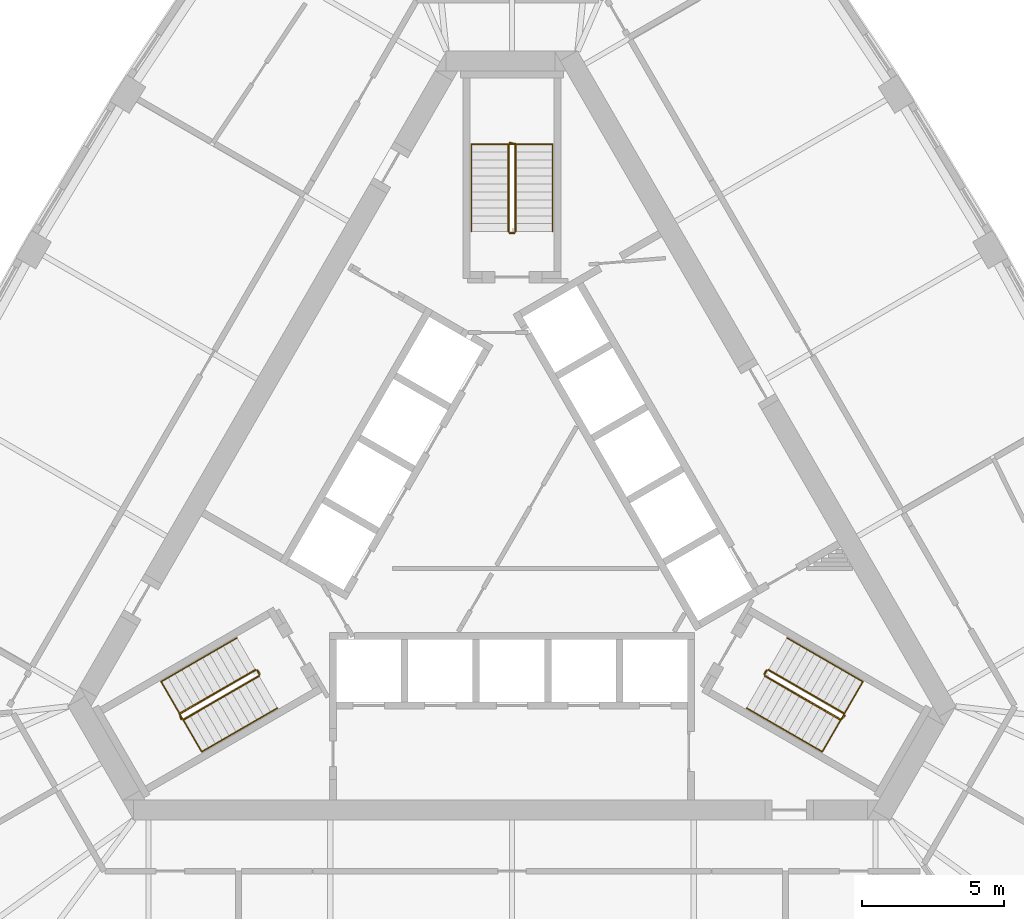
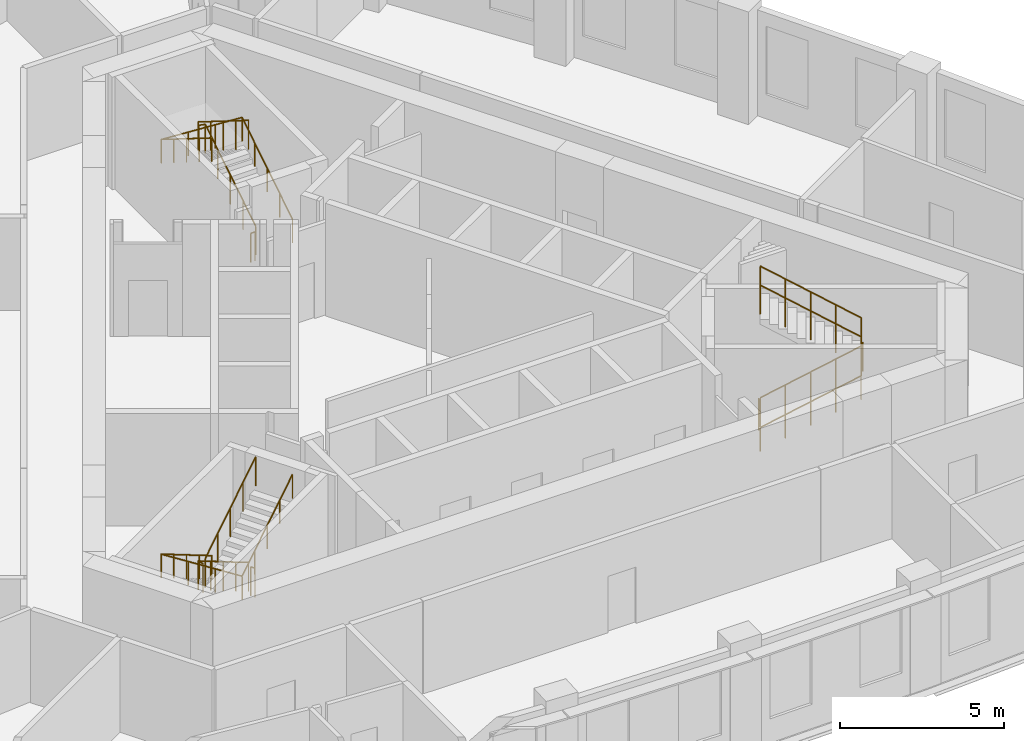
# One storey, part 10 of 10: 12 railings.
"""IFC4 building model written with IfcOpenShell, lengths in metres."""

from ifc_helpers import new_model, si_unit, direction, frame, origin, origin_2d, place, context, subcontext, project, spatial, circle, extrude, material, type_object, element, save


model = new_model("IFC4")

# Units and contexts
model_context = context("Model", 3, precision=1e-05, world=origin(), true_north=direction((0.0, 1.0)))
body_context = subcontext(model_context, "Body", "Model", "MODEL_VIEW")
ifc_project = project(units=[si_unit("LENGTHUNIT", "METRE"), si_unit("AREAUNIT", "SQUARE_METRE"), si_unit("VOLUMEUNIT", "CUBIC_METRE"), si_unit("PLANEANGLEUNIT", "RADIAN"), si_unit("MASSUNIT", "GRAM", prefix="KILO")], contexts=[model_context])

# Site, building, storey
site_placement = place(None, origin())
site = spatial("IfcSite", under=ifc_project, at=site_placement, CompositionType="ELEMENT")
building_placement = place(site_placement, origin())
building = spatial("IfcBuilding", under=site, at=building_placement, Name="Mestral Congress Tower", CompositionType="ELEMENT")
storey_placement = place(building_placement, frame((0.0, 0.0, 243.60009765625)))
storey = spatial("IfcBuildingStorey", under=building, at=storey_placement, Name="L57", CompositionType="ELEMENT", Elevation=243.60009765625)

# Railings
ifc_material_1 = material(Name="Steel balustrade", Category="steel")
railing_type_1 = type_object("IfcRailingType", Name="Stair guard 1100", PredefinedType="GUARDRAIL", material=ifc_material_1)
railing_1_placement = place(storey_placement, frame((8.90087890625, -5.283203125, 0.1748046875)))
element("IfcRailing", 1, at=railing_1_placement, inside=storey, type_object=railing_type_1, Name="L57 ST1 stair guard 1", PredefinedType="GUARDRAIL", context=body_context, shape_type="SweptSolid", body=[
    extrude(circle(Radius=0.02392578125, at=origin_2d()), frame((0.0, 0.0, 1.076171875), z_axis=(0.734364028329, -0.424015404183, 0.530019255228), x_axis=(0.500026652407, 0.866010015463, 0.0)), (0.0, 0.0, 1.0), 3.632080078125),
    extrude(circle(Radius=0.02392578125, at=origin_2d()), frame((2.667236328125, -1.5400390625, 3.0009765625), z_axis=(0.695164929852, 0.718850276695, 0.0), x_axis=(-0.718850276695, 0.695164929852, 0.0)), (0.0, 0.0, 1.0), 0.2060546875),
    extrude(circle(Radius=0.02099609375, at=origin_2d()), origin(), (0.0, 0.0, 1.0), 1.052001953125),
    extrude(circle(Radius=0.02099609375, at=origin_2d()), frame((0.666748046875, -0.385009765625, 0.481201171875)), (0.0, 0.0, 1.0), 1.052001953125),
    extrude(circle(Radius=0.02099609375, at=origin_2d()), frame((1.33349609375, -0.77001953125, 0.96240234375)), (0.0, 0.0, 1.0), 1.052001953125),
    extrude(circle(Radius=0.02099609375, at=origin_2d()), frame((2.00048828125, -1.155029296875, 1.44384765625)), (0.0, 0.0, 1.0), 1.052001953125),
    extrude(circle(Radius=0.02099609375, at=origin_2d()), frame((2.667236328125, -1.5400390625, 1.925048828125)), (0.0, 0.0, 1.0), 1.052001953125),
    extrude(circle(Radius=0.02099609375, at=origin_2d()), frame((2.810546875, -1.391845703125, 1.925048828125)), (0.0, 0.0, 1.0), 1.052001953125),
])
railing_2_placement = place(storey_placement, frame((11.693115234375, -6.606689453125, 2.27490234375)))
element("IfcRailing", 2, at=railing_2_placement, inside=storey, type_object=railing_type_1, Name="L57 ST1 stair guard 2", PredefinedType="GUARDRAIL", context=body_context, shape_type="SweptSolid", body=[
    extrude(circle(Radius=0.02392578125, at=origin_2d()), frame((0.0, 0.0, 1.076171875), z_axis=(-0.734364028329, 0.424015404183, 0.530019255228), x_axis=(-0.500026652407, -0.866010015463, 0.0)), (0.0, 0.0, 1.0), 3.632080078125),
    extrude(circle(Radius=0.02099609375, at=origin_2d()), origin(), (0.0, 0.0, 1.0), 1.052001953125),
    extrude(circle(Radius=0.02099609375, at=origin_2d()), frame((-0.666748046875, 0.385009765625, 0.481201171875)), (0.0, 0.0, 1.0), 1.052001953125),
    extrude(circle(Radius=0.02099609375, at=origin_2d()), frame((-1.33349609375, 0.77001953125, 0.96240234375)), (0.0, 0.0, 1.0), 1.052001953125),
    extrude(circle(Radius=0.02099609375, at=origin_2d()), frame((-2.00048828125, 1.155029296875, 1.44384765625)), (0.0, 0.0, 1.0), 1.052001953125),
    extrude(circle(Radius=0.02099609375, at=origin_2d()), frame((-2.667236328125, 1.5400390625, 1.925048828125)), (0.0, 0.0, 1.0), 1.052001953125),
])
railing_3_placement = place(storey_placement, frame((8.882568359375, -5.21484375, 0.0)))
element("IfcRailing", 3, at=railing_3_placement, inside=storey, type_object=railing_type_1, Name="L57 ST1 stair guard 3", PredefinedType="GUARDRAIL", context=body_context, shape_type="SweptSolid", body=[
    extrude(circle(Radius=0.02392578125, at=origin_2d()), frame((0.0, 0.0, 1.076171875), z_axis=(0.499816412211, 0.866131372301, 0.0), x_axis=(-0.866131372301, 0.499816412211, 0.0)), (0.0, 0.0, 1.0), 0.14990234375),
    extrude(circle(Radius=0.02099609375, at=origin_2d()), origin(), (0.0, 0.0, 1.0), 1.052001953125),
    extrude(circle(Radius=0.02099609375, at=origin_2d()), frame((0.074951171875, 0.1298828125, 0.0)), (0.0, 0.0, 1.0), 1.052001953125),
])
railing_4_placement = place(storey_placement, frame((0.125, 10.35009765625, 0.1748046875)))
element("IfcRailing", 4, at=railing_4_placement, inside=storey, type_object=railing_type_1, Name="L57 ST2 stair guard 1", PredefinedType="GUARDRAIL", context=body_context, shape_type="SweptSolid", body=[
    extrude(circle(Radius=0.02392578125, at=origin_2d()), frame((0.0, 0.0, 1.076171875), z_axis=(0.0, 0.847979421464, 0.530029150871), x_axis=(-1.0, 0.0, 0.0)), (0.0, 0.0, 1.0), 3.632080078125),
    extrude(circle(Radius=0.02392578125, at=origin_2d()), frame((0.0, 3.079833984375, 3.0009765625), z_axis=(-0.970072785993, 0.242814311512, 0.0), x_axis=(-0.242814311512, -0.970072785993, 0.0)), (0.0, 0.0, 1.0), 0.2060546875),
    extrude(circle(Radius=0.02099609375, at=origin_2d()), origin(), (0.0, 0.0, 1.0), 1.052001953125),
    extrude(circle(Radius=0.02099609375, at=origin_2d()), frame((0.0, 0.77001953125, 0.481201171875)), (0.0, 0.0, 1.0), 1.052001953125),
    extrude(circle(Radius=0.02099609375, at=origin_2d()), frame((0.0, 1.5400390625, 0.96240234375)), (0.0, 0.0, 1.0), 1.052001953125),
    extrude(circle(Radius=0.02099609375, at=origin_2d()), frame((0.0, 2.309814453125, 1.44384765625)), (0.0, 0.0, 1.0), 1.052001953125),
    extrude(circle(Radius=0.02099609375, at=origin_2d()), frame((0.0, 3.079833984375, 1.925048828125)), (0.0, 0.0, 1.0), 1.052001953125),
    extrude(circle(Radius=0.02099609375, at=origin_2d()), frame((-0.199951171875, 3.1298828125, 1.925048828125)), (0.0, 0.0, 1.0), 1.052001953125),
])
railing_5_placement = place(storey_placement, frame((-0.125, 13.429931640625, 2.27490234375)))
element("IfcRailing", 5, at=railing_5_placement, inside=storey, type_object=railing_type_1, Name="L57 ST2 stair guard 2", PredefinedType="GUARDRAIL", context=body_context, shape_type="SweptSolid", body=[
    extrude(circle(Radius=0.02392578125, at=origin_2d()), frame((0.0, 0.0, 1.076171875), z_axis=(0.0, -0.847979421464, 0.530029150871), x_axis=(1.0, 0.0, 0.0)), (0.0, 0.0, 1.0), 3.632080078125),
    extrude(circle(Radius=0.02099609375, at=origin_2d()), origin(), (0.0, 0.0, 1.0), 1.052001953125),
    extrude(circle(Radius=0.02099609375, at=origin_2d()), frame((0.0, -0.77001953125, 0.481201171875)), (0.0, 0.0, 1.0), 1.052001953125),
    extrude(circle(Radius=0.02099609375, at=origin_2d()), frame((0.0, -1.5400390625, 0.96240234375)), (0.0, 0.0, 1.0), 1.052001953125),
    extrude(circle(Radius=0.02099609375, at=origin_2d()), frame((0.0, -2.309814453125, 1.44384765625)), (0.0, 0.0, 1.0), 1.052001953125),
    extrude(circle(Radius=0.02099609375, at=origin_2d()), frame((0.0, -3.079833984375, 1.925048828125)), (0.0, 0.0, 1.0), 1.052001953125),
])
railing_6_placement = place(storey_placement, frame((0.074951171875, 10.300048828125, 0.0)))
element("IfcRailing", 6, at=railing_6_placement, inside=storey, type_object=railing_type_1, Name="L57 ST2 stair guard 3", PredefinedType="GUARDRAIL", context=body_context, shape_type="SweptSolid", body=[
    extrude(circle(Radius=0.02392578125, at=origin_2d()), frame((0.0, 0.0, 1.076171875), z_axis=(-1.0, 0.0, 0.0), x_axis=(0.0, -1.0, 0.0)), (0.0, 0.0, 1.0), 0.14990234375),
    extrude(circle(Radius=0.02099609375, at=origin_2d()), origin(), (0.0, 0.0, 1.0), 1.052001953125),
    extrude(circle(Radius=0.02099609375, at=origin_2d()), frame((-0.14990234375, 0.0, 0.0)), (0.0, 0.0, 1.0), 1.052001953125),
])
railing_7_placement = place(storey_placement, frame((-9.02587890625, -5.066650390625, 0.1748046875)))
element("IfcRailing", 7, at=railing_7_placement, inside=storey, type_object=railing_type_1, Name="L57 ST3 stair guard 1", PredefinedType="GUARDRAIL", context=body_context, shape_type="SweptSolid", body=[
    extrude(circle(Radius=0.02392578125, at=origin_2d()), frame((0.0, 0.0, 1.076171875), z_axis=(-0.734364028329, -0.424015404183, 0.530019255228), x_axis=(0.500026652407, -0.866010015463, 0.0)), (0.0, 0.0, 1.0), 3.632080078125),
    extrude(circle(Radius=0.02392578125, at=origin_2d()), frame((-2.667236328125, -1.5400390625, 3.0009765625), z_axis=(0.274721127897, -0.961523947641, 0.0), x_axis=(0.961523947641, 0.274721127897, 0.0)), (0.0, 0.0, 1.0), 0.2060546875),
    extrude(circle(Radius=0.02099609375, at=origin_2d()), origin(), (0.0, 0.0, 1.0), 1.052001953125),
    extrude(circle(Radius=0.02099609375, at=origin_2d()), frame((-0.666748046875, -0.385009765625, 0.481201171875)), (0.0, 0.0, 1.0), 1.052001953125),
    extrude(circle(Radius=0.02099609375, at=origin_2d()), frame((-1.33349609375, -0.77001953125, 0.96240234375)), (0.0, 0.0, 1.0), 1.052001953125),
    extrude(circle(Radius=0.02099609375, at=origin_2d()), frame((-2.00048828125, -1.155029296875, 1.44384765625)), (0.0, 0.0, 1.0), 1.052001953125),
    extrude(circle(Radius=0.02099609375, at=origin_2d()), frame((-2.667236328125, -1.5400390625, 1.925048828125)), (0.0, 0.0, 1.0), 1.052001953125),
    extrude(circle(Radius=0.02099609375, at=origin_2d()), frame((-2.610595703125, -1.73828125, 1.925048828125)), (0.0, 0.0, 1.0), 1.052001953125),
])
railing_8_placement = place(storey_placement, frame((-11.568115234375, -6.8232421875, 2.27490234375)))
element("IfcRailing", 8, at=railing_8_placement, inside=storey, type_object=railing_type_1, Name="L57 ST3 stair guard 2", PredefinedType="GUARDRAIL", context=body_context, shape_type="SweptSolid", body=[
    extrude(circle(Radius=0.02392578125, at=origin_2d()), frame((0.0, 0.0, 1.076171875), z_axis=(0.734364028329, 0.424015404183, 0.530019255228), x_axis=(-0.500026652407, 0.866010015463, 0.0)), (0.0, 0.0, 1.0), 3.632080078125),
    extrude(circle(Radius=0.02099609375, at=origin_2d()), origin(), (0.0, 0.0, 1.0), 1.052001953125),
    extrude(circle(Radius=0.02099609375, at=origin_2d()), frame((0.666748046875, 0.385009765625, 0.481201171875)), (0.0, 0.0, 1.0), 1.052001953125),
    extrude(circle(Radius=0.02099609375, at=origin_2d()), frame((1.33349609375, 0.77001953125, 0.96240234375)), (0.0, 0.0, 1.0), 1.052001953125),
    extrude(circle(Radius=0.02099609375, at=origin_2d()), frame((2.00048828125, 1.155029296875, 1.44384765625)), (0.0, 0.0, 1.0), 1.052001953125),
    extrude(circle(Radius=0.02099609375, at=origin_2d()), frame((2.667236328125, 1.5400390625, 1.925048828125)), (0.0, 0.0, 1.0), 1.052001953125),
])
railing_9_placement = place(storey_placement, frame((-8.95751953125, -5.0849609375, 0.0)))
element("IfcRailing", 9, at=railing_9_placement, inside=storey, type_object=railing_type_1, Name="L57 ST3 stair guard 3", PredefinedType="GUARDRAIL", context=body_context, shape_type="SweptSolid", body=[
    extrude(circle(Radius=0.02392578125, at=origin_2d()), frame((0.0, 0.0, 1.076171875), z_axis=(0.499816412211, -0.866131372301, 0.0), x_axis=(0.866131372301, 0.499816412211, 0.0)), (0.0, 0.0, 1.0), 0.14990234375),
    extrude(circle(Radius=0.02099609375, at=origin_2d()), origin(), (0.0, 0.0, 1.0), 1.052001953125),
    extrude(circle(Radius=0.02099609375, at=origin_2d()), frame((0.074951171875, -0.1298828125, 0.0)), (0.0, 0.0, 1.0), 1.052001953125),
])
ifc_material_2 = material(Name="Steel handrail", Category="steel")
railing_type_2 = type_object("IfcRailingType", Name="Stair handrail 900", PredefinedType="HANDRAIL", material=ifc_material_2)
railing_10_placement = place(storey_placement, frame((8.2509765625, -6.4091796875, 0.1748046875)))
element("IfcRailing", 10, at=railing_10_placement, inside=storey, type_object=railing_type_2, Name="L57 ST1 stair handrail 1", PredefinedType="HANDRAIL", context=body_context, shape_type="SweptSolid", body=[
    extrude(circle(Radius=0.02392578125, at=origin_2d()), frame((0.0, 0.0, 0.8759765625), z_axis=(0.734384958227, -0.423960268333, 0.530034361155), x_axis=(0.499967199496, 0.866044340336, 0.0)), (0.0, 0.0, 1.0), 3.6318359375),
    extrude(circle(Radius=0.02392578125, at=origin_2d()), frame((2.667236328125, -1.539794921875, 2.80078125), z_axis=(0.499095769026, 0.864375386171, 0.061307463833), x_axis=(-0.866004402611, 0.500036373335, 0.0)), (0.0, 0.0, 1.0), 2.855224609375),
    extrude(circle(Radius=0.02392578125, at=origin_2d()), frame((4.09228515625, 0.92822265625, 2.97607421875), z_axis=(-0.734394994316, 0.423994474112, 0.52999309264), x_axis=(-0.499992328818, -0.866029832698, 0.0)), (0.0, 0.0, 1.0), 3.63232421875),
    extrude(circle(Radius=0.02099609375, at=origin_2d()), origin(), (0.0, 0.0, 1.0), 0.851806640625),
    extrude(circle(Radius=0.02099609375, at=origin_2d()), frame((0.666748046875, -0.385009765625, 0.481201171875)), (0.0, 0.0, 1.0), 0.851806640625),
    extrude(circle(Radius=0.02099609375, at=origin_2d()), frame((1.33349609375, -0.77001953125, 0.96240234375)), (0.0, 0.0, 1.0), 0.851806640625),
    extrude(circle(Radius=0.02099609375, at=origin_2d()), frame((2.00048828125, -1.15478515625, 1.44384765625)), (0.0, 0.0, 1.0), 0.851806640625),
    extrude(circle(Radius=0.02099609375, at=origin_2d()), frame((2.667236328125, -1.539794921875, 1.925048828125)), (0.0, 0.0, 1.0), 0.851806640625),
    extrude(circle(Radius=0.02099609375, at=origin_2d()), frame((3.142333984375, -0.717041015625, 1.9833984375)), (0.0, 0.0, 1.0), 0.851806640625),
    extrude(circle(Radius=0.02099609375, at=origin_2d()), frame((3.6171875, 0.10546875, 2.041748046875)), (0.0, 0.0, 1.0), 0.851806640625),
    extrude(circle(Radius=0.02099609375, at=origin_2d()), frame((4.09228515625, 0.92822265625, 2.10009765625)), (0.0, 0.0, 1.0), 0.851806640625),
    extrude(circle(Radius=0.02099609375, at=origin_2d()), frame((3.42529296875, 1.313232421875, 2.581298828125)), (0.0, 0.0, 1.0), 0.851806640625),
    extrude(circle(Radius=0.02099609375, at=origin_2d()), frame((2.758544921875, 1.6982421875, 3.0625)), (0.0, 0.0, 1.0), 0.851806640625),
    extrude(circle(Radius=0.02099609375, at=origin_2d()), frame((2.091796875, 2.083251953125, 3.5439453125)), (0.0, 0.0, 1.0), 0.851806640625),
    extrude(circle(Radius=0.02099609375, at=origin_2d()), frame((1.4248046875, 2.46826171875, 4.025146484375)), (0.0, 0.0, 1.0), 0.851806640625),
])
railing_11_placement = place(storey_placement, frame((1.425048828125, 10.35009765625, 0.1748046875)))
element("IfcRailing", 11, at=railing_11_placement, inside=storey, type_object=railing_type_2, Name="L57 ST2 stair handrail 1", PredefinedType="HANDRAIL", context=body_context, shape_type="SweptSolid", body=[
    extrude(circle(Radius=0.02392578125, at=origin_2d()), frame((0.0, 0.0, 0.8759765625), z_axis=(0.0, 0.847979421464, 0.530029150871), x_axis=(-1.0, 0.0, 0.0)), (0.0, 0.0, 1.0), 3.632080078125),
    extrude(circle(Radius=0.02392578125, at=origin_2d()), frame((0.0, 3.079833984375, 2.80078125), z_axis=(-0.998119201106, 0.0, 0.061303021003), x_axis=(0.0, -1.0, 0.0)), (0.0, 0.0, 1.0), 2.85546875),
    extrude(circle(Radius=0.02392578125, at=origin_2d()), frame((-2.85009765625, 3.079833984375, 2.97607421875), z_axis=(0.0, -0.847979421464, 0.530029150871), x_axis=(1.0, 0.0, 0.0)), (0.0, 0.0, 1.0), 3.632080078125),
    extrude(circle(Radius=0.02099609375, at=origin_2d()), origin(), (0.0, 0.0, 1.0), 0.851806640625),
    extrude(circle(Radius=0.02099609375, at=origin_2d()), frame((0.0, 0.77001953125, 0.481201171875)), (0.0, 0.0, 1.0), 0.851806640625),
    extrude(circle(Radius=0.02099609375, at=origin_2d()), frame((0.0, 1.5400390625, 0.96240234375)), (0.0, 0.0, 1.0), 0.851806640625),
    extrude(circle(Radius=0.02099609375, at=origin_2d()), frame((0.0, 2.309814453125, 1.44384765625)), (0.0, 0.0, 1.0), 0.851806640625),
    extrude(circle(Radius=0.02099609375, at=origin_2d()), frame((0.0, 3.079833984375, 1.925048828125)), (0.0, 0.0, 1.0), 0.851806640625),
    extrude(circle(Radius=0.02099609375, at=origin_2d()), frame((-0.949951171875, 3.079833984375, 1.9833984375)), (0.0, 0.0, 1.0), 0.851806640625),
    extrude(circle(Radius=0.02099609375, at=origin_2d()), frame((-1.900146484375, 3.079833984375, 2.041748046875)), (0.0, 0.0, 1.0), 0.851806640625),
    extrude(circle(Radius=0.02099609375, at=origin_2d()), frame((-2.85009765625, 3.079833984375, 2.10009765625)), (0.0, 0.0, 1.0), 0.851806640625),
    extrude(circle(Radius=0.02099609375, at=origin_2d()), frame((-2.85009765625, 2.309814453125, 2.581298828125)), (0.0, 0.0, 1.0), 0.851806640625),
    extrude(circle(Radius=0.02099609375, at=origin_2d()), frame((-2.85009765625, 1.5400390625, 3.0625)), (0.0, 0.0, 1.0), 0.851806640625),
    extrude(circle(Radius=0.02099609375, at=origin_2d()), frame((-2.85009765625, 0.77001953125, 3.5439453125)), (0.0, 0.0, 1.0), 0.851806640625),
    extrude(circle(Radius=0.02099609375, at=origin_2d()), frame((-2.85009765625, 0.0, 4.025146484375)), (0.0, 0.0, 1.0), 0.851806640625),
])
railing_12_placement = place(storey_placement, frame((-9.67578125, -3.94091796875, 0.1748046875)))
element("IfcRailing", 12, at=railing_12_placement, inside=storey, type_object=railing_type_2, Name="L57 ST3 stair handrail 1", PredefinedType="HANDRAIL", context=body_context, shape_type="SweptSolid", body=[
    extrude(circle(Radius=0.02392578125, at=origin_2d()), frame((0.0, 0.0, 0.8759765625), z_axis=(-0.734394994316, -0.423994474112, 0.52999309264), x_axis=(0.499992328818, -0.866029832698, 0.0)), (0.0, 0.0, 1.0), 3.63232421875),
    extrude(circle(Radius=0.02392578125, at=origin_2d()), frame((-2.66748046875, -1.5400390625, 2.80078125), z_axis=(0.499095769026, -0.864375386171, 0.061307463833), x_axis=(0.866004402611, 0.500036373335, 0.0)), (0.0, 0.0, 1.0), 2.855224609375),
    extrude(circle(Radius=0.02392578125, at=origin_2d()), frame((-1.242431640625, -4.008056640625, 2.97607421875), z_axis=(0.734384958227, 0.423960268333, 0.530034361155), x_axis=(-0.499967199496, 0.866044340336, 0.0)), (0.0, 0.0, 1.0), 3.6318359375),
    extrude(circle(Radius=0.02099609375, at=origin_2d()), origin(), (0.0, 0.0, 1.0), 0.851806640625),
    extrude(circle(Radius=0.02099609375, at=origin_2d()), frame((-0.6669921875, -0.385009765625, 0.481201171875)), (0.0, 0.0, 1.0), 0.851806640625),
    extrude(circle(Radius=0.02099609375, at=origin_2d()), frame((-1.333740234375, -0.77001953125, 0.96240234375)), (0.0, 0.0, 1.0), 0.851806640625),
    extrude(circle(Radius=0.02099609375, at=origin_2d()), frame((-2.00048828125, -1.155029296875, 1.44384765625)), (0.0, 0.0, 1.0), 0.851806640625),
    extrude(circle(Radius=0.02099609375, at=origin_2d()), frame((-2.66748046875, -1.5400390625, 1.925048828125)), (0.0, 0.0, 1.0), 0.851806640625),
    extrude(circle(Radius=0.02099609375, at=origin_2d()), frame((-2.1923828125, -2.36279296875, 1.9833984375)), (0.0, 0.0, 1.0), 0.851806640625),
    extrude(circle(Radius=0.02099609375, at=origin_2d()), frame((-1.717529296875, -3.185302734375, 2.041748046875)), (0.0, 0.0, 1.0), 0.851806640625),
    extrude(circle(Radius=0.02099609375, at=origin_2d()), frame((-1.242431640625, -4.008056640625, 2.10009765625)), (0.0, 0.0, 1.0), 0.851806640625),
    extrude(circle(Radius=0.02099609375, at=origin_2d()), frame((-0.57568359375, -3.623046875, 2.581298828125)), (0.0, 0.0, 1.0), 0.851806640625),
    extrude(circle(Radius=0.02099609375, at=origin_2d()), frame((0.09130859375, -3.23828125, 3.0625)), (0.0, 0.0, 1.0), 0.851806640625),
    extrude(circle(Radius=0.02099609375, at=origin_2d()), frame((0.758056640625, -2.853271484375, 3.5439453125)), (0.0, 0.0, 1.0), 0.851806640625),
    extrude(circle(Radius=0.02099609375, at=origin_2d()), frame((1.4248046875, -2.46826171875, 4.025146484375)), (0.0, 0.0, 1.0), 0.851806640625),
])

save(model, "model.ifc")
